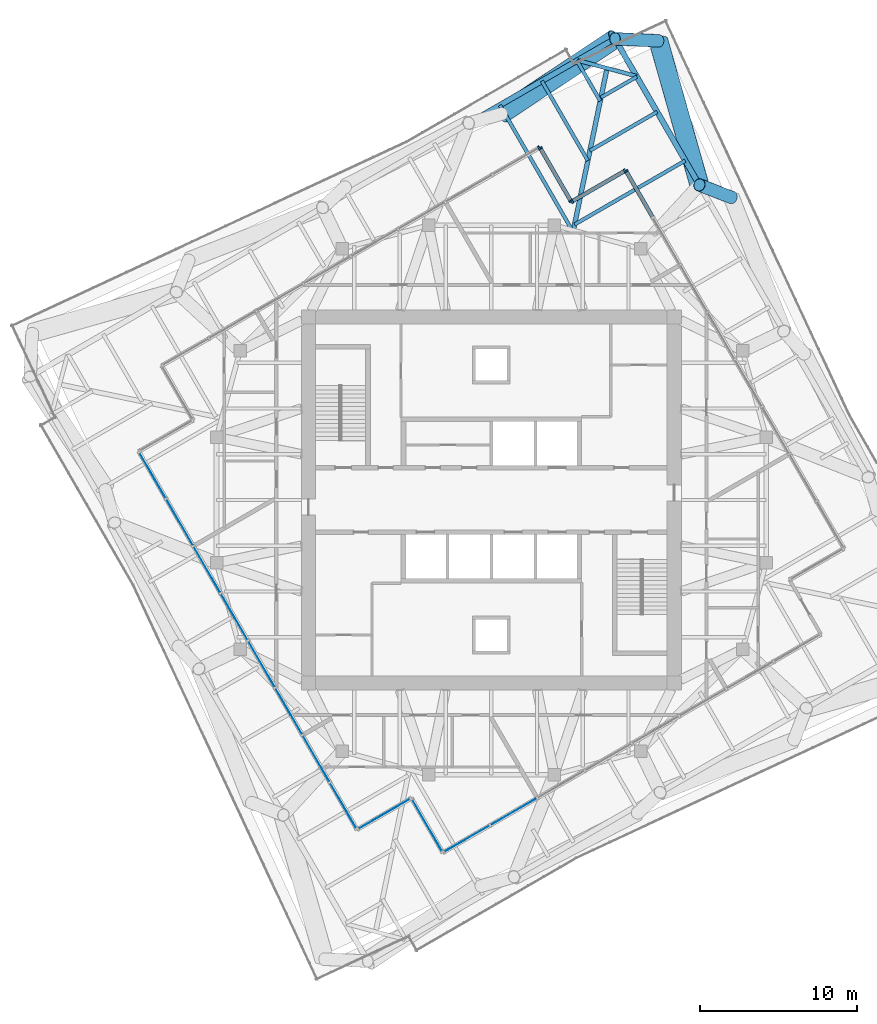
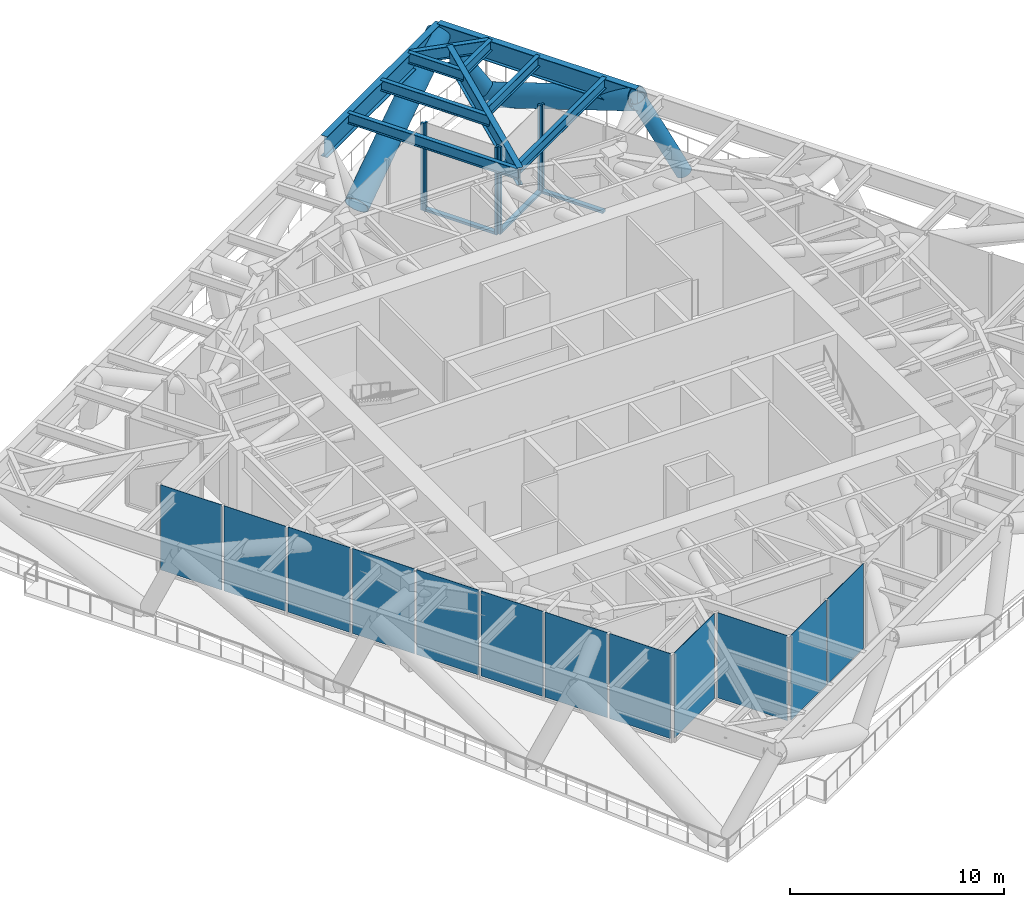
# One storey, part 6 of 12: 13 members, 12 plates, 10 beams, 8 elements without a shape of their own.
"""IFC4 building model written with IfcOpenShell, lengths in metres."""

from ifc_helpers import new_model, si_unit, direction, frame, origin, origin_2d, place, context, subcontext, project, spatial, rectangle, hollow_circle, i_section, extrude, material, layer, layer_set, material_profile, profile_set, type_object, element, aggregate, save


model = new_model("IFC4")

# Units and contexts
model_context = context("Model", 3, precision=1e-05, world=origin(), true_north=direction((0.0, 1.0)))
body_context = subcontext(model_context, "Body", "Model", "MODEL_VIEW")
ifc_project = project(units=[si_unit("LENGTHUNIT", "METRE"), si_unit("AREAUNIT", "SQUARE_METRE"), si_unit("VOLUMEUNIT", "CUBIC_METRE"), si_unit("PLANEANGLEUNIT", "RADIAN"), si_unit("MASSUNIT", "GRAM", prefix="KILO")], contexts=[model_context])

# Site, building, storey
site_placement = place(None, origin())
site = spatial("IfcSite", under=ifc_project, at=site_placement, CompositionType="ELEMENT")
building_placement = place(site_placement, origin())
building = spatial("IfcBuilding", under=site, at=building_placement, Name="Torsade Residences", CompositionType="ELEMENT")
storey_placement = place(building_placement, frame((0.0, 0.0, 203.199951171875)))
storey = spatial("IfcBuildingStorey", under=building, at=storey_placement, Name="L56", CompositionType="ELEMENT", Elevation=203.199951171875)

# Beams
ifc_material_1 = material(Name="Steel grade 300", Category="steel")
ifc_material_profile_1 = material_profile(ifc_material_1, i_section(OverallWidth=0.300048828125, OverallDepth=1.0, WebThickness=0.01611328125, FlangeThickness=0.028076171875, at=origin_2d()), Name="1000WB215")
ifc_profile_set_1 = profile_set([ifc_material_profile_1], Name="Steel grade 300")
beam_type_1 = type_object("IfcBeamType", Name="CORNER GIRDER 1000WB215", PredefinedType="BEAM", material=ifc_profile_set_1)
beam_1_placement = place(storey_placement, frame((47.3662109375, 57.4912109375, 4.35009765625), z_axis=(-0.203443862654, -0.979086612486, 0.0), x_axis=(0.979086612486, -0.203443862654, 0.0)))
element("IfcBeam", 1, at=beam_1_placement, inside=storey, type_object=beam_type_1, Name="Corner girder 09 L57", PredefinedType="BEAM", context=body_context, shape_type="SweptSolid", body=[
    extrude(i_section(OverallWidth=0.300048828125, OverallDepth=1.0, WebThickness=0.01611328125, FlangeThickness=0.028076171875, at=origin_2d()), origin(), (0.0, 0.0, 1.0), 10.544677734375),
])
ifc_material_2 = material(Name="Steel grade 300", Category="steel")
ifc_material_profile_2 = material_profile(ifc_material_2, i_section(OverallWidth=0.25, OverallDepth=0.699951171875, WebThickness=0.010009765625, FlangeThickness=0.02001953125, at=origin_2d()), Name="700WB130")
ifc_profile_set_2 = profile_set([ifc_material_profile_2], Name="Steel grade 300")
beam_type_2 = type_object("IfcBeamType", Name="CORNER TRIMMER 700WB130", PredefinedType="BEAM", material=ifc_profile_set_2)
beam_2_placement = place(storey_placement, frame((45.488037109375, 57.99462890625, 4.5), z_axis=(0.965924794002, -0.258822897619, 0.0), x_axis=(0.258822897619, 0.965924794002, 0.0)))
element("IfcBeam", 2, at=beam_2_placement, inside=storey, type_object=beam_type_2, Name="Corner trimmer 09 L57", PredefinedType="BEAM", context=body_context, shape_type="SweptSolid", body=[
    extrude(i_section(OverallWidth=0.25, OverallDepth=0.699951171875, WebThickness=0.010009765625, FlangeThickness=0.02001953125, at=origin_2d()), origin(), (0.0, 0.0, 1.0), 3.88916015625),
])

# Curtain wall, member
ifc_material_3 = material(Name="Aluminium and glass", Category="aluminium")
curtain_wall_type = type_object("IfcCurtainWallType", Name="TRANSFER LEVEL CURTAIN WALL HIGH ZONE", PredefinedType="NOTDEFINED", material=ifc_material_3)
curtain_wall_1_placement = place(storey_placement, origin())
curtain_wall_1 = element("IfcCurtainWall", 3, at=curtain_wall_1_placement, inside=storey, type_object=curtain_wall_type, Name="Curtain wall L56 face 4", PredefinedType="NOTDEFINED")
ifc_material_4 = material(Name="Aluminium mullion", Category="aluminium")
ifc_material_profile_3 = material_profile(ifc_material_4, rectangle(XDim=0.25, YDim=0.1201171875, at=origin_2d()), Name="HIGH ZONE TRANSFER CURTAIN WALL MULLION 250x120")
ifc_profile_set_3 = profile_set([ifc_material_profile_3], Name="Aluminium mullion")
member_type_1 = type_object("IfcMemberType", Name="HIGH ZONE TRANSFER CURTAIN WALL MULLION 250x120", PredefinedType="MULLION", material=ifc_profile_set_3)
member_1_placement = place(storey_placement, frame((48.581787109375, 50.935791015625, 0.0), z_axis=(0.0, 0.0, 1.0), x_axis=(-0.86602540176, -0.500000003507, 0.0)))
member_1 = element("IfcMember", 4, at=member_1_placement, type_object=member_type_1, Name="Mullion 9", PredefinedType="MULLION", context=body_context, shape_type="SweptSolid", body=[
    extrude(rectangle(XDim=0.25, YDim=0.1201171875, at=origin_2d()), origin(), (0.0, 0.0, 1.0), 5.0),
])

# Curtain wall, members
curtain_wall_2_placement = place(storey_placement, origin())
curtain_wall_2 = element("IfcCurtainWall", 5, at=curtain_wall_2_placement, inside=storey, type_object=curtain_wall_type, Name="Curtain wall L56 face 5", PredefinedType="NOTDEFINED")
member_2_placement = place(storey_placement, frame((48.5, 50.957763671875, 0.0), z_axis=(0.0, 0.0, 1.0), x_axis=(0.499999958343, -0.866025427835, 0.0)))
member_2 = element("IfcMember", 6, at=member_2_placement, type_object=member_type_1, Name="Mullion 1", PredefinedType="MULLION", context=body_context, shape_type="SweptSolid", body=[
    extrude(rectangle(XDim=0.25, YDim=0.1201171875, at=origin_2d()), origin(), (0.0, 0.0, 1.0), 5.0),
])
member_3_placement = place(storey_placement, frame((45.1396484375, 49.017822265625, 0.0), z_axis=(0.0, 0.0, 1.0), x_axis=(0.499999958343, -0.866025427835, 0.0)))
member_3 = element("IfcMember", 7, at=member_3_placement, type_object=member_type_1, Name="Mullion 2", PredefinedType="MULLION", context=body_context, shape_type="SweptSolid", body=[
    extrude(rectangle(XDim=0.25, YDim=0.1201171875, at=origin_2d()), origin(), (0.0, 0.0, 1.0), 5.0),
])

curtain_wall_3_placement = place(storey_placement, origin())
curtain_wall_3 = element("IfcCurtainWall", 8, at=curtain_wall_3_placement, inside=storey, type_object=curtain_wall_type, Name="Curtain wall L56 face 6", PredefinedType="NOTDEFINED")
member_4_placement = place(storey_placement, frame((45.057861328125, 49.039794921875, 0.0), z_axis=(0.0, 0.0, 1.0), x_axis=(-0.866025427835, -0.499999958343, 0.0)))
member_4 = element("IfcMember", 9, at=member_4_placement, type_object=member_type_1, Name="Mullion 1", PredefinedType="MULLION", context=body_context, shape_type="SweptSolid", body=[
    extrude(rectangle(XDim=0.25, YDim=0.1201171875, at=origin_2d()), origin(), (0.0, 0.0, 1.0), 5.0),
])
member_5_placement = place(storey_placement, frame((43.11767578125, 52.39990234375, 0.0), z_axis=(0.0, 0.0, 1.0), x_axis=(-0.866025427835, -0.499999958343, 0.0)))
member_5 = element("IfcMember", 10, at=member_5_placement, type_object=member_type_1, Name="Mullion 2", PredefinedType="MULLION", context=body_context, shape_type="SweptSolid", body=[
    extrude(rectangle(XDim=0.25, YDim=0.1201171875, at=origin_2d()), origin(), (0.0, 0.0, 1.0), 5.0),
])

# Curtain wall, member
curtain_wall_4_placement = place(storey_placement, origin())
curtain_wall_4 = element("IfcCurtainWall", 11, at=curtain_wall_4_placement, inside=storey, type_object=curtain_wall_type, Name="Curtain wall L56 face 7", PredefinedType="NOTDEFINED")
member_6_placement = place(storey_placement, frame((43.035888671875, 52.421875, 0.0), z_axis=(0.0, 0.0, 1.0), x_axis=(0.500000003507, -0.86602540176, 0.0)))
member_6 = element("IfcMember", 12, at=member_6_placement, type_object=member_type_1, Name="Mullion 1", PredefinedType="MULLION", context=body_context, shape_type="SweptSolid", body=[
    extrude(rectangle(XDim=0.25, YDim=0.1201171875, at=origin_2d()), origin(), (0.0, 0.0, 1.0), 5.0),
])
aggregate(curtain_wall_4, [member_6])

# Member
ifc_material_5 = material(Name="Aluminium transom", Category="aluminium")
ifc_material_profile_4 = material_profile(ifc_material_5, rectangle(XDim=0.25, YDim=0.139892578125, at=origin_2d()), Name="HIGH ZONE TRANSFER CURTAIN WALL TRANSOM 250x140")
ifc_profile_set_4 = profile_set([ifc_material_profile_4], Name="Aluminium transom")
member_type_2 = type_object("IfcMemberType", Name="HIGH ZONE TRANSFER CURTAIN WALL TRANSOM 250x140", PredefinedType="USERDEFINED", material=ifc_profile_set_4)
member_7_placement = place(storey_placement, frame((50.25927734375, 48.0302734375, 0.070068359375), z_axis=(-0.499996112969, 0.866027647951, 0.0), x_axis=(-0.866027647951, -0.499996112969, 0.0)))
member_7 = element("IfcMember", 13, at=member_7_placement, type_object=member_type_2, Name="Transom 8.1", ObjectType="TRANSOM", PredefinedType="USERDEFINED", context=body_context, shape_type="SweptSolid", body=[
    extrude(rectangle(XDim=0.25, YDim=0.139892578125, at=origin_2d()), origin(), (0.0, 0.0, 1.0), 3.294921875),
])

aggregate(curtain_wall_1, [member_1, member_7])

member_8_placement = place(storey_placement, frame((48.447998046875, 50.927734375, 0.070068359375), z_axis=(-0.866045024864, -0.499966013754, 0.0), x_axis=(0.499966013754, -0.866045024864, 0.0)))
member_8 = element("IfcMember", 14, at=member_8_placement, type_object=member_type_2, Name="Transom 1.1", ObjectType="TRANSOM", PredefinedType="USERDEFINED", context=body_context, shape_type="SweptSolid", body=[
    extrude(rectangle(XDim=0.25, YDim=0.139892578125, at=origin_2d()), origin(), (0.0, 0.0, 1.0), 3.760009765625),
])

aggregate(curtain_wall_2, [member_2, member_3, member_8])

member_9_placement = place(storey_placement, frame((45.02783203125, 49.091796875, 0.070068359375), z_axis=(-0.50004282833, 0.866000675424, 0.0), x_axis=(-0.866000675424, -0.50004282833, 0.0)))
member_9 = element("IfcMember", 15, at=member_9_placement, type_object=member_type_2, Name="Transom 1.1", ObjectType="TRANSOM", PredefinedType="USERDEFINED", context=body_context, shape_type="SweptSolid", body=[
    extrude(rectangle(XDim=0.25, YDim=0.139892578125, at=origin_2d()), origin(), (0.0, 0.0, 1.0), 3.760009765625),
])

aggregate(curtain_wall_3, [member_4, member_5, member_9])

# Beams
ifc_material_6 = material(Name="Steel grade 300", Category="steel")
ifc_material_profile_5 = material_profile(ifc_material_6, i_section(OverallWidth=0.22900390625, OverallDepth=0.612060546875, WebThickness=0.011962890625, FlangeThickness=0.01953125, FilletRadius=0.013916015625, at=origin_2d()), Name="610UB125")
ifc_profile_set_5 = profile_set([ifc_material_profile_5], Name="Steel grade 300")
beam_type_3 = type_object("IfcBeamType", Name="SECONDARY BEAM 610UB125", PredefinedType="JOIST", material=ifc_profile_set_5)
beam_3_placement = place(storey_placement, frame((52.3486328125, 51.611328125, 4.5439453125), z_axis=(-0.866019772443, -0.500009753642, 0.0), x_axis=(0.500009753642, -0.866019772443, 0.0)))
element("IfcBeam", 16, at=beam_3_placement, inside=storey, type_object=beam_type_3, Name="Floor beam FE10 L57", PredefinedType="JOIST", context=body_context, shape_type="SweptSolid", body=[
    extrude(i_section(OverallWidth=0.22900390625, OverallDepth=0.612060546875, WebThickness=0.011962890625, FlangeThickness=0.01953125, FilletRadius=0.013916015625, at=origin_2d()), origin(), (0.0, 0.0, 1.0), 8.140380859375),
])
beam_4_placement = place(storey_placement, frame((50.55712890625, 54.714599609375, 4.5439453125), z_axis=(-0.866046608779, -0.499963270073, 0.0), x_axis=(0.499963270073, -0.866046608779, 0.0)))
element("IfcBeam", 17, at=beam_4_placement, inside=storey, type_object=beam_type_3, Name="Floor beam FE11 L57", PredefinedType="JOIST", context=body_context, shape_type="SweptSolid", body=[
    extrude(i_section(OverallWidth=0.22900390625, OverallDepth=0.612060546875, WebThickness=0.011962890625, FlangeThickness=0.01953125, FilletRadius=0.013916015625, at=origin_2d()), origin(), (0.0, 0.0, 1.0), 4.943603515625),
])
beam_5_placement = place(storey_placement, frame((49.265380859375, 56.951904296875, 4.5439453125), z_axis=(-0.866008413041, -0.500029427677, 0.0), x_axis=(0.500029427677, -0.866008413041, 0.0)))
element("IfcBeam", 18, at=beam_5_placement, inside=storey, type_object=beam_type_3, Name="Floor beam FE12 L57", PredefinedType="JOIST", context=body_context, shape_type="SweptSolid", body=[
    extrude(i_section(OverallWidth=0.22900390625, OverallDepth=0.612060546875, WebThickness=0.011962890625, FlangeThickness=0.01953125, FilletRadius=0.013916015625, at=origin_2d()), origin(), (0.0, 0.0, 1.0), 2.638916015625),
])
beam_6_placement = place(storey_placement, frame((45.451904296875, 57.9736328125, 4.5439453125), z_axis=(0.500003007852, -0.866023667193, 0.0), x_axis=(0.866023667193, 0.500003007852, 0.0)))
element("IfcBeam", 19, at=beam_6_placement, inside=storey, type_object=beam_type_3, Name="Floor beam FN01 L57", PredefinedType="JOIST", context=body_context, shape_type="SweptSolid", body=[
    extrude(i_section(OverallWidth=0.22900390625, OverallDepth=0.612060546875, WebThickness=0.011962890625, FlangeThickness=0.01953125, FilletRadius=0.013916015625, at=origin_2d()), origin(), (0.0, 0.0, 1.0), 2.962890625),
])
beam_7_placement = place(storey_placement, frame((43.214599609375, 56.68212890625, 4.5439453125), z_axis=(0.49998458238, -0.866034304969, 0.0), x_axis=(0.866034304969, 0.49998458238, 0.0)))
element("IfcBeam", 20, at=beam_7_placement, inside=storey, type_object=beam_type_3, Name="Floor beam FN02 L57", PredefinedType="JOIST", context=body_context, shape_type="SweptSolid", body=[
    extrude(i_section(OverallWidth=0.22900390625, OverallDepth=0.612060546875, WebThickness=0.011962890625, FlangeThickness=0.01953125, FilletRadius=0.013916015625, at=origin_2d()), origin(), (0.0, 0.0, 1.0), 5.858642578125),
])
beam_8_placement = place(storey_placement, frame((40.54443359375, 55.140380859375, 4.5439453125), z_axis=(0.500006393711, -0.866021712342, 0.0), x_axis=(0.866021712342, 0.500006393711, 0.0)))
element("IfcBeam", 21, at=beam_8_placement, inside=storey, type_object=beam_type_3, Name="Floor beam FN03 L57", PredefinedType="JOIST", context=body_context, shape_type="SweptSolid", body=[
    extrude(i_section(OverallWidth=0.22900390625, OverallDepth=0.612060546875, WebThickness=0.011962890625, FlangeThickness=0.01953125, FilletRadius=0.013916015625, at=origin_2d()), origin(), (0.0, 0.0, 1.0), 9.1796875),
])
ifc_material_7 = material(Name="Steel grade 350", Category="steel")
ifc_material_profile_6 = material_profile(ifc_material_7, i_section(OverallWidth=0.35009765625, OverallDepth=1.199951171875, WebThickness=0.01611328125, FlangeThickness=0.028076171875, at=origin_2d()), Name="1200WB278")
ifc_profile_set_6 = profile_set([ifc_material_profile_6], Name="Steel grade 350")
beam_type_4 = type_object("IfcBeamType", Name="TRANSFER TRUSS CHORD 1200WB278", PredefinedType="USERDEFINED", material=ifc_profile_set_6)
for number, where, z_axis, x_axis, name in (
    (22, (53.24462890625, 50.059814453125, 4.25), (-0.499998333915, 0.866026365697, 0.0), (-0.866026365697, -0.499998333915, 0.0), "Transfer truss TT6 top chord 08"),
    (23, (47.86962890625, 59.36962890625, 4.25), (-0.866026365697, -0.499998333915, 0.0), (0.499998333915, -0.866026365697, 0.0), "Transfer truss TT6 top chord 09"),
):
    element("IfcBeam", number, at=place(storey_placement, frame(where, z_axis=z_axis, x_axis=x_axis)), inside=storey, type_object=beam_type_4, Name=name, ObjectType="TRANSFER TRUSS CHORD", PredefinedType="USERDEFINED", context=body_context, shape_type="SweptSolid", body=[
        extrude(i_section(OverallWidth=0.35009765625, OverallDepth=1.199951171875, WebThickness=0.01611328125, FlangeThickness=0.028076171875, at=origin_2d()), origin(), (0.0, 0.0, 1.0), 10.75),
    ])

# Members
ifc_material_8 = material(Name="Steel grade 450", Category="steel")
ifc_material_profile_7 = material_profile(ifc_material_8, hollow_circle(Radius=0.609619140625, WallThickness=0.031982421875, at=origin_2d()), Name="1219.0x32.0CHS")
ifc_profile_set_7 = profile_set([ifc_material_profile_7], Name="Steel grade 450")
member_type_3 = type_object("IfcMemberType", Name="TRANSFER TRUSS DIAGONAL 1219.0x32.0CHS", PredefinedType="BRACE", material=ifc_profile_set_7)
member_10_placement = place(storey_placement, frame((50.64111328125, 59.236328125, -0.199951171875), z_axis=(0.247350238422, -0.871826088855, 0.422773142884), x_axis=(0.962030335429, 0.272942546546, 0.0)))
element("IfcMember", 24, at=member_10_placement, inside=storey, type_object=member_type_3, Name="Transfer truss TT6 diagonal 08", PredefinedType="BRACE", context=body_context, shape_type="SweptSolid", body=[
    extrude(hollow_circle(Radius=0.609619140625, WallThickness=0.031982421875, at=origin_2d()), origin(), (0.0, 0.0, 1.0), 10.525634765625),
])
member_11_placement = place(storey_placement, frame((40.671875, 54.587646484375, -0.199951171875), z_axis=(0.740514823958, 0.491976930224, 0.457817098442), x_axis=(-0.553375987219, 0.832931579885, 0.0)))
element("IfcMember", 25, at=member_11_placement, inside=storey, type_object=member_type_3, Name="Transfer truss TT6 diagonal 09", PredefinedType="BRACE", context=body_context, shape_type="SweptSolid", body=[
    extrude(hollow_circle(Radius=0.609619140625, WallThickness=0.031982421875, at=origin_2d()), origin(), (0.0, 0.0, 1.0), 9.719970703125),
])
ifc_material_9 = material(Name="Steel grade 450", Category="steel")
ifc_material_profile_8 = material_profile(ifc_material_9, hollow_circle(Radius=0.406494140625, WallThickness=0.02490234375, at=origin_2d()), Name="813.0x25.0CHS")
ifc_profile_set_8 = profile_set([ifc_material_profile_8], Name="Steel grade 450")
member_type_4 = type_object("IfcMemberType", Name="TRANSFER TRUSS RAKING STRUT 813.0x25.0CHS", PredefinedType="STRUT", material=ifc_profile_set_8)
member_12_placement = place(storey_placement, frame((55.2900390625, 49.26708984375, -0.199951171875), z_axis=(-0.412275681279, 0.159782661388, 0.896938271982), x_axis=(-0.361371868486, -0.93242177831, 0.0)))
element("IfcMember", 26, at=member_12_placement, inside=storey, type_object=member_type_4, Name="Transfer truss TT6 raking strut 08", PredefinedType="STRUT", context=body_context, shape_type="SweptSolid", body=[
    extrude(hollow_circle(Radius=0.406494140625, WallThickness=0.02490234375, at=origin_2d()), origin(), (0.0, 0.0, 1.0), 4.961181640625),
])
member_13_placement = place(storey_placement, frame((50.64111328125, 59.236328125, -0.199951171875), z_axis=(-0.528492107494, 0.025419017855, 0.848557579571), x_axis=(-0.04804171514, -0.998845330172, 0.0)))
element("IfcMember", 27, at=member_13_placement, inside=storey, type_object=member_type_4, Name="Transfer truss TT6 raking strut 09", PredefinedType="STRUT", context=body_context, shape_type="SweptSolid", body=[
    extrude(hollow_circle(Radius=0.406494140625, WallThickness=0.02490234375, at=origin_2d()), origin(), (0.0, 0.0, 1.0), 5.244140625),
])

# Curtain wall, plates
curtain_wall_5_placement = place(storey_placement, origin())
curtain_wall_5 = element("IfcCurtainWall", 28, at=curtain_wall_5_placement, inside=storey, type_object=curtain_wall_type, Name="Curtain wall L56 face 1", PredefinedType="NOTDEFINED")
ifc_material_10 = material(Name="Laminated glass", Category="glass")
ifc_layer = layer(ifc_material_10, 0.02392578125)
ifc_layer_set = layer_set([ifc_layer], Name="Laminated glass")
plate_type = type_object("IfcPlateType", Name="CLEAR GLASS PANEL", PredefinedType="CURTAIN_PANEL", material=ifc_layer_set)
plate_1_placement = place(storey_placement, frame((38.44287109375, 8.431884765625, 0.14013671875), z_axis=(0.0, 0.0, 1.0), x_axis=(0.86602540176, 0.500000003507, 0.0)))
plate_1 = element("IfcPlate", 29, at=plate_1_placement, type_object=plate_type, Name="Panel 1", PredefinedType="CURTAIN_PANEL", context=body_context, shape_type="SweptSolid", body=[
    extrude(rectangle(XDim=3.294921875, YDim=0.02392578125, at=origin_2d()), origin(), (0.0, 0.0, 1.0), 4.860107421875),
])
plate_2_placement = place(storey_placement, frame((41.426513671875, 10.154296875, 0.14013671875), z_axis=(0.0, 0.0, 1.0), x_axis=(0.86602540176, 0.500000003507, 0.0)))
plate_2 = element("IfcPlate", 30, at=plate_2_placement, type_object=plate_type, Name="Panel 2", PredefinedType="CURTAIN_PANEL", context=body_context, shape_type="SweptSolid", body=[
    extrude(rectangle(XDim=3.35498046875, YDim=0.02392578125, at=origin_2d()), origin(), (0.0, 0.0, 1.0), 4.860107421875),
])
aggregate(curtain_wall_5, [plate_1, plate_2])

curtain_wall_6_placement = place(storey_placement, origin())
curtain_wall_6 = element("IfcCurtainWall", 31, at=curtain_wall_6_placement, inside=storey, type_object=curtain_wall_type, Name="Curtain wall L56 face 10", PredefinedType="NOTDEFINED")
plate_3_placement = place(storey_placement, frame((18.431884765625, 31.55712890625, 0.14013671875), z_axis=(0.0, 0.0, 1.0), x_axis=(0.500000003507, -0.86602540176, 0.0)))
plate_3 = element("IfcPlate", 32, at=plate_3_placement, type_object=plate_type, Name="Panel 1", PredefinedType="CURTAIN_PANEL", context=body_context, shape_type="SweptSolid", body=[
    extrude(rectangle(XDim=3.294921875, YDim=0.02392578125, at=origin_2d()), origin(), (0.0, 0.0, 1.0), 4.860107421875),
])
plate_4_placement = place(storey_placement, frame((20.154296875, 28.573486328125, 0.14013671875), z_axis=(0.0, 0.0, 1.0), x_axis=(0.500000003507, -0.86602540176, 0.0)))
plate_4 = element("IfcPlate", 33, at=plate_4_placement, type_object=plate_type, Name="Panel 2", PredefinedType="CURTAIN_PANEL", context=body_context, shape_type="SweptSolid", body=[
    extrude(rectangle(XDim=3.35498046875, YDim=0.02392578125, at=origin_2d()), origin(), (0.0, 0.0, 1.0), 4.860107421875),
])
plate_5_placement = place(storey_placement, frame((21.891845703125, 25.564208984375, 0.14013671875), z_axis=(0.0, 0.0, 1.0), x_axis=(0.500000003507, -0.86602540176, 0.0)))
plate_5 = element("IfcPlate", 34, at=plate_5_placement, type_object=plate_type, Name="Panel 3", PredefinedType="CURTAIN_PANEL", context=body_context, shape_type="SweptSolid", body=[
    extrude(rectangle(XDim=3.35498046875, YDim=0.02392578125, at=origin_2d()), origin(), (0.0, 0.0, 1.0), 4.860107421875),
])
plate_6_placement = place(storey_placement, frame((23.62939453125, 22.5546875, 0.14013671875), z_axis=(0.0, 0.0, 1.0), x_axis=(0.500000003507, -0.86602540176, 0.0)))
plate_6 = element("IfcPlate", 35, at=plate_6_placement, type_object=plate_type, Name="Panel 4", PredefinedType="CURTAIN_PANEL", context=body_context, shape_type="SweptSolid", body=[
    extrude(rectangle(XDim=3.35498046875, YDim=0.02392578125, at=origin_2d()), origin(), (0.0, 0.0, 1.0), 4.860107421875),
])
plate_7_placement = place(storey_placement, frame((25.366943359375, 19.545166015625, 0.14013671875), z_axis=(0.0, 0.0, 1.0), x_axis=(0.500000003507, -0.86602540176, 0.0)))
plate_7 = element("IfcPlate", 36, at=plate_7_placement, type_object=plate_type, Name="Panel 5", PredefinedType="CURTAIN_PANEL", context=body_context, shape_type="SweptSolid", body=[
    extrude(rectangle(XDim=3.35498046875, YDim=0.02392578125, at=origin_2d()), origin(), (0.0, 0.0, 1.0), 4.860107421875),
])
plate_8_placement = place(storey_placement, frame((27.1044921875, 16.535888671875, 0.14013671875), z_axis=(0.0, 0.0, 1.0), x_axis=(0.500000003507, -0.86602540176, 0.0)))
plate_8 = element("IfcPlate", 37, at=plate_8_placement, type_object=plate_type, Name="Panel 6", PredefinedType="CURTAIN_PANEL", context=body_context, shape_type="SweptSolid", body=[
    extrude(rectangle(XDim=3.35498046875, YDim=0.02392578125, at=origin_2d()), origin(), (0.0, 0.0, 1.0), 4.860107421875),
])
plate_9_placement = place(storey_placement, frame((28.841796875, 13.5263671875, 0.14013671875), z_axis=(0.0, 0.0, 1.0), x_axis=(0.500000003507, -0.86602540176, 0.0)))
plate_9 = element("IfcPlate", 38, at=plate_9_placement, type_object=plate_type, Name="Panel 7", PredefinedType="CURTAIN_PANEL", context=body_context, shape_type="SweptSolid", body=[
    extrude(rectangle(XDim=3.35498046875, YDim=0.02392578125, at=origin_2d()), origin(), (0.0, 0.0, 1.0), 4.860107421875),
])
plate_10_placement = place(storey_placement, frame((30.564453125, 10.54296875, 0.14013671875), z_axis=(0.0, 0.0, 1.0), x_axis=(0.500000003507, -0.86602540176, 0.0)))
plate_10 = element("IfcPlate", 39, at=plate_10_placement, type_object=plate_type, Name="Panel 8", PredefinedType="CURTAIN_PANEL", context=body_context, shape_type="SweptSolid", body=[
    extrude(rectangle(XDim=3.294921875, YDim=0.02392578125, at=origin_2d()), origin(), (0.0, 0.0, 1.0), 4.860107421875),
])
aggregate(curtain_wall_6, [plate_3, plate_4, plate_5, plate_6, plate_7, plate_8, plate_9, plate_10])

# Curtain wall, plate
curtain_wall_7_placement = place(storey_placement, origin())
curtain_wall_7 = element("IfcCurtainWall", 40, at=curtain_wall_7_placement, inside=storey, type_object=curtain_wall_type, Name="Curtain wall L56 face 11", PredefinedType="NOTDEFINED")
plate_11_placement = place(storey_placement, frame((33.18017578125, 10.01220703125, 0.14013671875), z_axis=(0.0, 0.0, 1.0), x_axis=(0.866025427835, 0.499999958343, 0.0)))
plate_11 = element("IfcPlate", 41, at=plate_11_placement, type_object=plate_type, Name="Panel 1", PredefinedType="CURTAIN_PANEL", context=body_context, shape_type="SweptSolid", body=[
    extrude(rectangle(XDim=3.760009765625, YDim=0.02392578125, at=origin_2d()), origin(), (0.0, 0.0, 1.0), 4.860107421875),
])
aggregate(curtain_wall_7, [plate_11])

curtain_wall_8_placement = place(storey_placement, origin())
curtain_wall_8 = element("IfcCurtainWall", 42, at=curtain_wall_8_placement, inside=storey, type_object=curtain_wall_type, Name="Curtain wall L56 face 12", PredefinedType="NOTDEFINED")
plate_12_placement = place(storey_placement, frame((35.912353515625, 9.2802734375, 0.14013671875), z_axis=(0.0, 0.0, 1.0), x_axis=(0.499999958343, -0.866025427835, 0.0)))
plate_12 = element("IfcPlate", 43, at=plate_12_placement, type_object=plate_type, Name="Panel 1", PredefinedType="CURTAIN_PANEL", context=body_context, shape_type="SweptSolid", body=[
    extrude(rectangle(XDim=3.760009765625, YDim=0.02392578125, at=origin_2d()), origin(), (0.0, 0.0, 1.0), 4.860107421875),
])
aggregate(curtain_wall_8, [plate_12])

save(model, "model.ifc")
